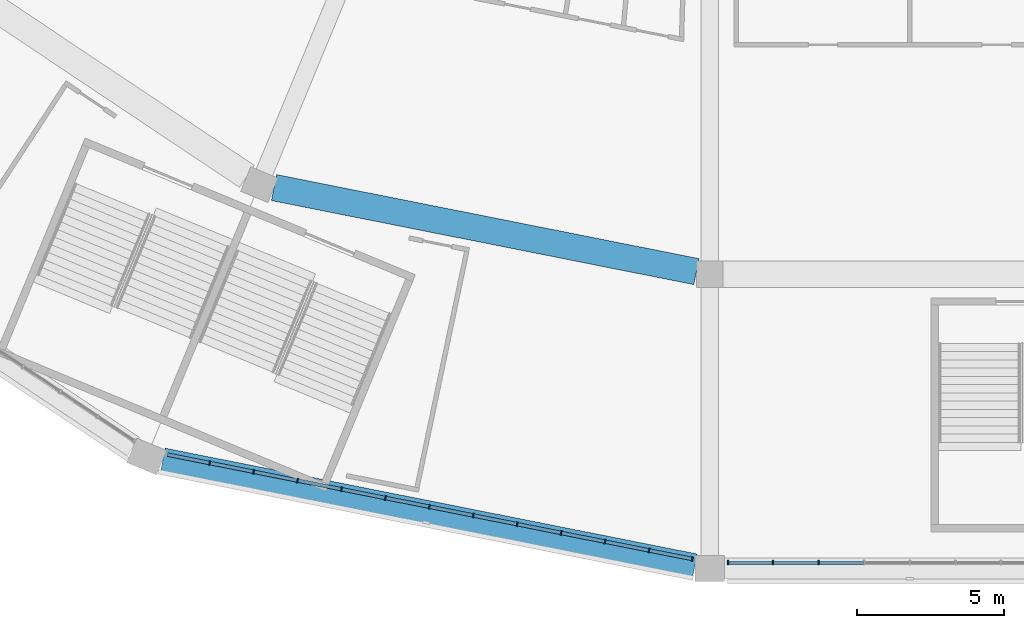
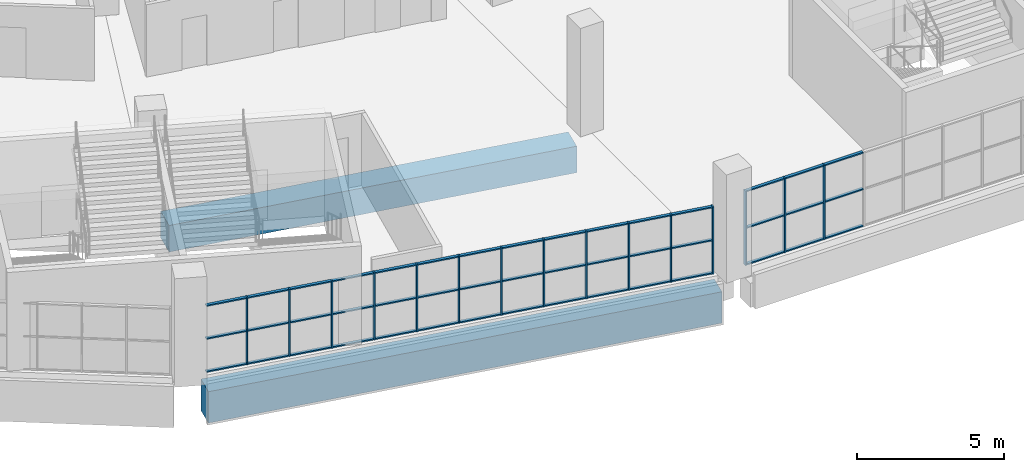
# One storey, part 5 of 199: 60 members, 2 beams, 2 elements without a shape of their own.
"""IFC4 building model written with IfcOpenShell, lengths in metres."""

from ifc_helpers import new_model, si_unit, direction, frame, origin, origin_2d, place, context, subcontext, project, spatial, rectangle, extrude, material, material_profile, profile_set, type_object, element, aggregate, save


model = new_model("IFC4")

# Units and contexts
model_context = context("Model", 3, precision=1e-05, world=origin(), true_north=direction((0.0, 1.0)))
body_context = subcontext(model_context, "Body", "Model", "MODEL_VIEW")
ifc_project = project(units=[si_unit("LENGTHUNIT", "METRE"), si_unit("AREAUNIT", "SQUARE_METRE"), si_unit("VOLUMEUNIT", "CUBIC_METRE"), si_unit("PLANEANGLEUNIT", "RADIAN"), si_unit("MASSUNIT", "GRAM", prefix="KILO")], contexts=[model_context])

# Site, building, storey
site_placement = place(None, origin())
site = spatial("IfcSite", under=ifc_project, at=site_placement, CompositionType="ELEMENT")
building_placement = place(site_placement, origin())
building = spatial("IfcBuilding", under=site, at=building_placement, Name="Ogive Plaza Stadium", CompositionType="ELEMENT")
storey_placement = place(building_placement, frame((0.0, 0.0, 4.5)))
storey = spatial("IfcBuildingStorey", under=building, at=storey_placement, Name="L01", CompositionType="ELEMENT", Elevation=4.5)

# Curtain wall, members
ifc_material_1 = material(Name="Bronze-anodised aluminium with laminated glass", Category="aluminium")
curtain_wall_type = type_object("IfcCurtainWallType", Name="Lancet curtain wall", PredefinedType="NOTDEFINED", material=ifc_material_1)
curtain_wall_1_placement = place(storey_placement, origin())
curtain_wall_1 = element("IfcCurtainWall", 1, at=curtain_wall_1_placement, inside=storey, type_object=curtain_wall_type, Name="CURTAIN WALL B16 L01", PredefinedType="NOTDEFINED")
ifc_material_2 = material(Name="Bronze-anodised aluminium", Category="aluminium")
ifc_material_profile_1 = material_profile(ifc_material_2, rectangle(XDim=0.14990234375, YDim=0.050048828125, at=origin_2d()), Name="AL 150x50")
ifc_profile_set_1 = profile_set([ifc_material_profile_1], Name="Bronze-anodised aluminium")
member_type_1 = type_object("IfcMemberType", Name="Curtain wall mullion 50x150", PredefinedType="MULLION", material=ifc_profile_set_1)
member_1_placement = place(storey_placement, frame((-30.300048828125, -102.300048828125, 0.0), z_axis=(0.0, 0.0, 1.0), x_axis=(0.0, -1.0, 0.0)))
member_1 = element("IfcMember", 2, at=member_1_placement, type_object=member_type_1, Name="CW-B16-L01 mullion 7", PredefinedType="MULLION", context=body_context, shape_type="SweptSolid", body=[
    extrude(rectangle(XDim=0.14990234375, YDim=0.050048828125, at=origin_2d()), origin(), (0.0, 0.0, 1.0), 3.090087890625),
])
member_2_placement = place(storey_placement, frame((-31.85009765625, -102.300048828125, 0.0), z_axis=(0.0, 0.0, 1.0), x_axis=(0.0, -1.0, 0.0)))
member_2 = element("IfcMember", 3, at=member_2_placement, type_object=member_type_1, Name="CW-B16-L01 mullion 8", PredefinedType="MULLION", context=body_context, shape_type="SweptSolid", body=[
    extrude(rectangle(XDim=0.14990234375, YDim=0.050048828125, at=origin_2d()), origin(), (0.0, 0.0, 1.0), 3.090087890625),
])
member_3_placement = place(storey_placement, frame((-33.375, -102.300048828125, 0.0), z_axis=(0.0, 0.0, 1.0), x_axis=(0.0, -1.0, 0.0)))
member_3 = element("IfcMember", 4, at=member_3_placement, type_object=member_type_1, Name="CW-B16-L01 mullion 9", PredefinedType="MULLION", context=body_context, shape_type="SweptSolid", body=[
    extrude(rectangle(XDim=0.14990234375, YDim=0.050048828125, at=origin_2d()), origin(), (0.0, 0.0, 1.0), 3.090087890625),
])

curtain_wall_2_placement = place(storey_placement, origin())
curtain_wall_2 = element("IfcCurtainWall", 5, at=curtain_wall_2_placement, inside=storey, type_object=curtain_wall_type, Name="CURTAIN WALL B17 L01", PredefinedType="NOTDEFINED")
member_4_placement = place(storey_placement, frame((-34.593994140625, -102.177978515625, 0.0), z_axis=(0.0, 0.0, 1.0), x_axis=(-0.195090322033, -0.9807852804, 0.0)))
member_4 = element("IfcMember", 6, at=member_4_placement, type_object=member_type_1, Name="CW-B17-L01 mullion 1", PredefinedType="MULLION", context=body_context, shape_type="SweptSolid", body=[
    extrude(rectangle(XDim=0.14990234375, YDim=0.050048828125, at=origin_2d()), origin(), (0.0, 0.0, 1.0), 2.7900390625),
])
member_5_placement = place(storey_placement, frame((-36.0625, -101.8857421875, 0.0), z_axis=(0.0, 0.0, 1.0), x_axis=(-0.195090322033, -0.9807852804, 0.0)))
member_5 = element("IfcMember", 7, at=member_5_placement, type_object=member_type_1, Name="CW-B17-L01 mullion 2", PredefinedType="MULLION", context=body_context, shape_type="SweptSolid", body=[
    extrude(rectangle(XDim=0.14990234375, YDim=0.050048828125, at=origin_2d()), origin(), (0.0, 0.0, 1.0), 2.7900390625),
])
member_6_placement = place(storey_placement, frame((-37.5556640625, -101.5888671875, 0.0), z_axis=(0.0, 0.0, 1.0), x_axis=(-0.195090322033, -0.9807852804, 0.0)))
member_6 = element("IfcMember", 8, at=member_6_placement, type_object=member_type_1, Name="CW-B17-L01 mullion 3", PredefinedType="MULLION", context=body_context, shape_type="SweptSolid", body=[
    extrude(rectangle(XDim=0.14990234375, YDim=0.050048828125, at=origin_2d()), origin(), (0.0, 0.0, 1.0), 2.7900390625),
])
member_7_placement = place(storey_placement, frame((-39.048828125, -101.291748046875, 0.0), z_axis=(0.0, 0.0, 1.0), x_axis=(-0.195090322033, -0.9807852804, 0.0)))
member_7 = element("IfcMember", 9, at=member_7_placement, type_object=member_type_1, Name="CW-B17-L01 mullion 4", PredefinedType="MULLION", context=body_context, shape_type="SweptSolid", body=[
    extrude(rectangle(XDim=0.14990234375, YDim=0.050048828125, at=origin_2d()), origin(), (0.0, 0.0, 1.0), 2.7900390625),
])
member_8_placement = place(storey_placement, frame((-40.5419921875, -100.994873046875, 0.0), z_axis=(0.0, 0.0, 1.0), x_axis=(-0.195090322033, -0.9807852804, 0.0)))
member_8 = element("IfcMember", 10, at=member_8_placement, type_object=member_type_1, Name="CW-B17-L01 mullion 5", PredefinedType="MULLION", context=body_context, shape_type="SweptSolid", body=[
    extrude(rectangle(XDim=0.14990234375, YDim=0.050048828125, at=origin_2d()), origin(), (0.0, 0.0, 1.0), 2.7900390625),
])
member_9_placement = place(storey_placement, frame((-42.034912109375, -100.69775390625, 0.0), z_axis=(0.0, 0.0, 1.0), x_axis=(-0.195090322033, -0.9807852804, 0.0)))
member_9 = element("IfcMember", 11, at=member_9_placement, type_object=member_type_1, Name="CW-B17-L01 mullion 6", PredefinedType="MULLION", context=body_context, shape_type="SweptSolid", body=[
    extrude(rectangle(XDim=0.14990234375, YDim=0.050048828125, at=origin_2d()), origin(), (0.0, 0.0, 1.0), 2.7900390625),
])
member_10_placement = place(storey_placement, frame((-43.528076171875, -100.40087890625, 0.0), z_axis=(0.0, 0.0, 1.0), x_axis=(-0.195090322033, -0.9807852804, 0.0)))
member_10 = element("IfcMember", 12, at=member_10_placement, type_object=member_type_1, Name="CW-B17-L01 mullion 7", PredefinedType="MULLION", context=body_context, shape_type="SweptSolid", body=[
    extrude(rectangle(XDim=0.14990234375, YDim=0.050048828125, at=origin_2d()), origin(), (0.0, 0.0, 1.0), 2.7900390625),
])
member_11_placement = place(storey_placement, frame((-45.021240234375, -100.103759765625, 0.0), z_axis=(0.0, 0.0, 1.0), x_axis=(-0.195090322033, -0.9807852804, 0.0)))
member_11 = element("IfcMember", 13, at=member_11_placement, type_object=member_type_1, Name="CW-B17-L01 mullion 8", PredefinedType="MULLION", context=body_context, shape_type="SweptSolid", body=[
    extrude(rectangle(XDim=0.14990234375, YDim=0.050048828125, at=origin_2d()), origin(), (0.0, 0.0, 1.0), 2.7900390625),
])
member_12_placement = place(storey_placement, frame((-46.51416015625, -99.806884765625, 0.0), z_axis=(0.0, 0.0, 1.0), x_axis=(-0.195090322033, -0.9807852804, 0.0)))
member_12 = element("IfcMember", 14, at=member_12_placement, type_object=member_type_1, Name="CW-B17-L01 mullion 9", PredefinedType="MULLION", context=body_context, shape_type="SweptSolid", body=[
    extrude(rectangle(XDim=0.14990234375, YDim=0.050048828125, at=origin_2d()), origin(), (0.0, 0.0, 1.0), 2.7900390625),
])
member_13_placement = place(storey_placement, frame((-48.00732421875, -99.509765625, 0.0), z_axis=(0.0, 0.0, 1.0), x_axis=(-0.195090322033, -0.9807852804, 0.0)))
member_13 = element("IfcMember", 15, at=member_13_placement, type_object=member_type_1, Name="CW-B17-L01 mullion 10", PredefinedType="MULLION", context=body_context, shape_type="SweptSolid", body=[
    extrude(rectangle(XDim=0.14990234375, YDim=0.050048828125, at=origin_2d()), origin(), (0.0, 0.0, 1.0), 2.7900390625),
])
member_14_placement = place(storey_placement, frame((-49.50048828125, -99.212890625, 0.0), z_axis=(0.0, 0.0, 1.0), x_axis=(-0.195090322033, -0.9807852804, 0.0)))
member_14 = element("IfcMember", 16, at=member_14_placement, type_object=member_type_1, Name="CW-B17-L01 mullion 11", PredefinedType="MULLION", context=body_context, shape_type="SweptSolid", body=[
    extrude(rectangle(XDim=0.14990234375, YDim=0.050048828125, at=origin_2d()), origin(), (0.0, 0.0, 1.0), 2.7900390625),
])
member_15_placement = place(storey_placement, frame((-50.99365234375, -98.915771484375, 0.0), z_axis=(0.0, 0.0, 1.0), x_axis=(-0.195090322033, -0.9807852804, 0.0)))
member_15 = element("IfcMember", 17, at=member_15_placement, type_object=member_type_1, Name="CW-B17-L01 mullion 12", PredefinedType="MULLION", context=body_context, shape_type="SweptSolid", body=[
    extrude(rectangle(XDim=0.14990234375, YDim=0.050048828125, at=origin_2d()), origin(), (0.0, 0.0, 1.0), 2.7900390625),
])

# Member
ifc_material_3 = material(Name="Bronze-anodised aluminium", Category="aluminium")
ifc_material_profile_2 = material_profile(ifc_material_3, rectangle(XDim=0.1201171875, YDim=0.050048828125, at=origin_2d()), Name="AL 120x50")
ifc_profile_set_2 = profile_set([ifc_material_profile_2], Name="Bronze-anodised aluminium")
member_type_2 = type_object("IfcMemberType", Name="Curtain wall transom 50x120", PredefinedType="USERDEFINED", material=ifc_profile_set_2)
member_16_placement = place(storey_placement, frame((-28.77490234375, -102.300048828125, 0.02490234375), z_axis=(-1.0, 0.0, 0.0), x_axis=(0.0, -1.0, 0.0)))
member_16 = element("IfcMember", 18, at=member_16_placement, type_object=member_type_2, Name="CW-B16-L01 transom 6.1", ObjectType="TRANSOM", PredefinedType="USERDEFINED", context=body_context, shape_type="SweptSolid", body=[
    extrude(rectangle(XDim=0.1201171875, YDim=0.050048828125, at=origin_2d()), origin(), (0.0, 0.0, 1.0), 1.5),
])

member_17_placement = place(storey_placement, frame((-28.77490234375, -102.300048828125, 1.544921875), z_axis=(-1.0, 0.0, 0.0), x_axis=(0.0, -1.0, 0.0)))
member_17 = element("IfcMember", 19, at=member_17_placement, type_object=member_type_2, Name="CW-B16-L01 transom 6.2", ObjectType="TRANSOM", PredefinedType="USERDEFINED", context=body_context, shape_type="SweptSolid", body=[
    extrude(rectangle(XDim=0.1201171875, YDim=0.050048828125, at=origin_2d()), origin(), (0.0, 0.0, 1.0), 1.5),
])

member_18_placement = place(storey_placement, frame((-28.77490234375, -102.300048828125, 3.06494140625), z_axis=(-1.0, 0.0, 0.0), x_axis=(0.0, -1.0, 0.0)))
member_18 = element("IfcMember", 20, at=member_18_placement, type_object=member_type_2, Name="CW-B16-L01 transom 6.3", ObjectType="TRANSOM", PredefinedType="USERDEFINED", context=body_context, shape_type="SweptSolid", body=[
    extrude(rectangle(XDim=0.1201171875, YDim=0.050048828125, at=origin_2d()), origin(), (0.0, 0.0, 1.0), 1.5),
])

member_19_placement = place(storey_placement, frame((-30.324951171875, -102.300048828125, 0.02490234375), z_axis=(-1.0, 0.0, 0.0), x_axis=(0.0, -1.0, 0.0)))
member_19 = element("IfcMember", 21, at=member_19_placement, type_object=member_type_2, Name="CW-B16-L01 transom 7.1", ObjectType="TRANSOM", PredefinedType="USERDEFINED", context=body_context, shape_type="SweptSolid", body=[
    extrude(rectangle(XDim=0.1201171875, YDim=0.050048828125, at=origin_2d()), origin(), (0.0, 0.0, 1.0), 1.5),
])

member_20_placement = place(storey_placement, frame((-30.324951171875, -102.300048828125, 1.544921875), z_axis=(-1.0, 0.0, 0.0), x_axis=(0.0, -1.0, 0.0)))
member_20 = element("IfcMember", 22, at=member_20_placement, type_object=member_type_2, Name="CW-B16-L01 transom 7.2", ObjectType="TRANSOM", PredefinedType="USERDEFINED", context=body_context, shape_type="SweptSolid", body=[
    extrude(rectangle(XDim=0.1201171875, YDim=0.050048828125, at=origin_2d()), origin(), (0.0, 0.0, 1.0), 1.5),
])

member_21_placement = place(storey_placement, frame((-30.324951171875, -102.300048828125, 3.06494140625), z_axis=(-1.0, 0.0, 0.0), x_axis=(0.0, -1.0, 0.0)))
member_21 = element("IfcMember", 23, at=member_21_placement, type_object=member_type_2, Name="CW-B16-L01 transom 7.3", ObjectType="TRANSOM", PredefinedType="USERDEFINED", context=body_context, shape_type="SweptSolid", body=[
    extrude(rectangle(XDim=0.1201171875, YDim=0.050048828125, at=origin_2d()), origin(), (0.0, 0.0, 1.0), 1.5),
])

member_22_placement = place(storey_placement, frame((-31.875, -102.300048828125, 0.02490234375), z_axis=(-1.0, 0.0, 0.0), x_axis=(0.0, -1.0, 0.0)))
member_22 = element("IfcMember", 24, at=member_22_placement, type_object=member_type_2, Name="CW-B16-L01 transom 8.1", ObjectType="TRANSOM", PredefinedType="USERDEFINED", context=body_context, shape_type="SweptSolid", body=[
    extrude(rectangle(XDim=0.1201171875, YDim=0.050048828125, at=origin_2d()), origin(), (0.0, 0.0, 1.0), 1.47509765625),
])

member_23_placement = place(storey_placement, frame((-31.875, -102.300048828125, 1.544921875), z_axis=(-1.0, 0.0, 0.0), x_axis=(0.0, -1.0, 0.0)))
member_23 = element("IfcMember", 25, at=member_23_placement, type_object=member_type_2, Name="CW-B16-L01 transom 8.2", ObjectType="TRANSOM", PredefinedType="USERDEFINED", context=body_context, shape_type="SweptSolid", body=[
    extrude(rectangle(XDim=0.1201171875, YDim=0.050048828125, at=origin_2d()), origin(), (0.0, 0.0, 1.0), 1.47509765625),
])

member_24_placement = place(storey_placement, frame((-31.875, -102.300048828125, 3.06494140625), z_axis=(-1.0, 0.0, 0.0), x_axis=(0.0, -1.0, 0.0)))
member_24 = element("IfcMember", 26, at=member_24_placement, type_object=member_type_2, Name="CW-B16-L01 transom 8.3", ObjectType="TRANSOM", PredefinedType="USERDEFINED", context=body_context, shape_type="SweptSolid", body=[
    extrude(rectangle(XDim=0.1201171875, YDim=0.050048828125, at=origin_2d()), origin(), (0.0, 0.0, 1.0), 1.47509765625),
])

aggregate(curtain_wall_1, [member_1, member_2, member_3, member_16, member_17, member_18, member_19, member_20, member_21, member_22, member_23, member_24])

member_25_placement = place(storey_placement, frame((-34.61865234375, -102.173095703125, 0.02490234375), z_axis=(-0.980768379534, 0.195175269199, 0.0), x_axis=(-0.195175269199, -0.980768379534, 0.0)))
member_25 = element("IfcMember", 27, at=member_25_placement, type_object=member_type_2, Name="CW-B17-L01 transom 1.1", ObjectType="TRANSOM", PredefinedType="USERDEFINED", context=body_context, shape_type="SweptSolid", body=[
    extrude(rectangle(XDim=0.1201171875, YDim=0.050048828125, at=origin_2d()), origin(), (0.0, 0.0, 1.0), 1.447265625),
])

member_26_placement = place(storey_placement, frame((-34.61865234375, -102.173095703125, 1.39501953125), z_axis=(-0.980768379534, 0.195175269199, 0.0), x_axis=(-0.195175269199, -0.980768379534, 0.0)))
member_26 = element("IfcMember", 28, at=member_26_placement, type_object=member_type_2, Name="CW-B17-L01 transom 1.2", ObjectType="TRANSOM", PredefinedType="USERDEFINED", context=body_context, shape_type="SweptSolid", body=[
    extrude(rectangle(XDim=0.1201171875, YDim=0.050048828125, at=origin_2d()), origin(), (0.0, 0.0, 1.0), 1.447265625),
])

member_27_placement = place(storey_placement, frame((-34.61865234375, -102.173095703125, 2.764892578125), z_axis=(-0.980768379534, 0.195175269199, 0.0), x_axis=(-0.195175269199, -0.980768379534, 0.0)))
member_27 = element("IfcMember", 29, at=member_27_placement, type_object=member_type_2, Name="CW-B17-L01 transom 1.3", ObjectType="TRANSOM", PredefinedType="USERDEFINED", context=body_context, shape_type="SweptSolid", body=[
    extrude(rectangle(XDim=0.1201171875, YDim=0.050048828125, at=origin_2d()), origin(), (0.0, 0.0, 1.0), 1.447265625),
])

member_28_placement = place(storey_placement, frame((-36.087158203125, -101.880859375, 0.02490234375), z_axis=(-0.980803254763, 0.194999937042, 0.0), x_axis=(-0.194999937042, -0.980803254763, 0.0)))
member_28 = element("IfcMember", 30, at=member_28_placement, type_object=member_type_2, Name="CW-B17-L01 transom 2.1", ObjectType="TRANSOM", PredefinedType="USERDEFINED", context=body_context, shape_type="SweptSolid", body=[
    extrude(rectangle(XDim=0.1201171875, YDim=0.050048828125, at=origin_2d()), origin(), (0.0, 0.0, 1.0), 1.472412109375),
])

member_29_placement = place(storey_placement, frame((-36.087158203125, -101.880859375, 1.39501953125), z_axis=(-0.980803254763, 0.194999937042, 0.0), x_axis=(-0.194999937042, -0.980803254763, 0.0)))
member_29 = element("IfcMember", 31, at=member_29_placement, type_object=member_type_2, Name="CW-B17-L01 transom 2.2", ObjectType="TRANSOM", PredefinedType="USERDEFINED", context=body_context, shape_type="SweptSolid", body=[
    extrude(rectangle(XDim=0.1201171875, YDim=0.050048828125, at=origin_2d()), origin(), (0.0, 0.0, 1.0), 1.472412109375),
])

member_30_placement = place(storey_placement, frame((-36.087158203125, -101.880859375, 2.764892578125), z_axis=(-0.980803254763, 0.194999937042, 0.0), x_axis=(-0.194999937042, -0.980803254763, 0.0)))
member_30 = element("IfcMember", 32, at=member_30_placement, type_object=member_type_2, Name="CW-B17-L01 transom 2.3", ObjectType="TRANSOM", PredefinedType="USERDEFINED", context=body_context, shape_type="SweptSolid", body=[
    extrude(rectangle(XDim=0.1201171875, YDim=0.050048828125, at=origin_2d()), origin(), (0.0, 0.0, 1.0), 1.472412109375),
])

member_31_placement = place(storey_placement, frame((-37.580322265625, -101.583984375, 0.02490234375), z_axis=(-0.980765212551, 0.195191182816, 0.0), x_axis=(-0.195191182816, -0.980765212551, 0.0)))
member_31 = element("IfcMember", 33, at=member_31_placement, type_object=member_type_2, Name="CW-B17-L01 transom 3.1", ObjectType="TRANSOM", PredefinedType="USERDEFINED", context=body_context, shape_type="SweptSolid", body=[
    extrude(rectangle(XDim=0.1201171875, YDim=0.050048828125, at=origin_2d()), origin(), (0.0, 0.0, 1.0), 1.47216796875),
])

member_32_placement = place(storey_placement, frame((-37.580322265625, -101.583984375, 1.39501953125), z_axis=(-0.980765212551, 0.195191182816, 0.0), x_axis=(-0.195191182816, -0.980765212551, 0.0)))
member_32 = element("IfcMember", 34, at=member_32_placement, type_object=member_type_2, Name="CW-B17-L01 transom 3.2", ObjectType="TRANSOM", PredefinedType="USERDEFINED", context=body_context, shape_type="SweptSolid", body=[
    extrude(rectangle(XDim=0.1201171875, YDim=0.050048828125, at=origin_2d()), origin(), (0.0, 0.0, 1.0), 1.47216796875),
])

member_33_placement = place(storey_placement, frame((-37.580322265625, -101.583984375, 2.764892578125), z_axis=(-0.980765212551, 0.195191182816, 0.0), x_axis=(-0.195191182816, -0.980765212551, 0.0)))
member_33 = element("IfcMember", 35, at=member_33_placement, type_object=member_type_2, Name="CW-B17-L01 transom 3.3", ObjectType="TRANSOM", PredefinedType="USERDEFINED", context=body_context, shape_type="SweptSolid", body=[
    extrude(rectangle(XDim=0.1201171875, YDim=0.050048828125, at=origin_2d()), origin(), (0.0, 0.0, 1.0), 1.47216796875),
])

member_34_placement = place(storey_placement, frame((-39.0732421875, -101.286865234375, 0.02490234375), z_axis=(-0.980803254763, 0.194999937042, 0.0), x_axis=(-0.194999937042, -0.980803254763, 0.0)))
member_34 = element("IfcMember", 36, at=member_34_placement, type_object=member_type_2, Name="CW-B17-L01 transom 4.1", ObjectType="TRANSOM", PredefinedType="USERDEFINED", context=body_context, shape_type="SweptSolid", body=[
    extrude(rectangle(XDim=0.1201171875, YDim=0.050048828125, at=origin_2d()), origin(), (0.0, 0.0, 1.0), 1.472412109375),
])

member_35_placement = place(storey_placement, frame((-39.0732421875, -101.286865234375, 1.39501953125), z_axis=(-0.980803254763, 0.194999937042, 0.0), x_axis=(-0.194999937042, -0.980803254763, 0.0)))
member_35 = element("IfcMember", 37, at=member_35_placement, type_object=member_type_2, Name="CW-B17-L01 transom 4.2", ObjectType="TRANSOM", PredefinedType="USERDEFINED", context=body_context, shape_type="SweptSolid", body=[
    extrude(rectangle(XDim=0.1201171875, YDim=0.050048828125, at=origin_2d()), origin(), (0.0, 0.0, 1.0), 1.472412109375),
])

member_36_placement = place(storey_placement, frame((-39.0732421875, -101.286865234375, 2.764892578125), z_axis=(-0.980803254763, 0.194999937042, 0.0), x_axis=(-0.194999937042, -0.980803254763, 0.0)))
member_36 = element("IfcMember", 38, at=member_36_placement, type_object=member_type_2, Name="CW-B17-L01 transom 4.3", ObjectType="TRANSOM", PredefinedType="USERDEFINED", context=body_context, shape_type="SweptSolid", body=[
    extrude(rectangle(XDim=0.1201171875, YDim=0.050048828125, at=origin_2d()), origin(), (0.0, 0.0, 1.0), 1.472412109375),
])

member_37_placement = place(storey_placement, frame((-40.56640625, -100.989990234375, 0.02490234375), z_axis=(-0.980771529367, 0.195159440417, 0.0), x_axis=(-0.195159440417, -0.980771529367, 0.0)))
member_37 = element("IfcMember", 39, at=member_37_placement, type_object=member_type_2, Name="CW-B17-L01 transom 5.1", ObjectType="TRANSOM", PredefinedType="USERDEFINED", context=body_context, shape_type="SweptSolid", body=[
    extrude(rectangle(XDim=0.1201171875, YDim=0.050048828125, at=origin_2d()), origin(), (0.0, 0.0, 1.0), 1.472412109375),
])

member_38_placement = place(storey_placement, frame((-40.56640625, -100.989990234375, 1.39501953125), z_axis=(-0.980771529367, 0.195159440417, 0.0), x_axis=(-0.195159440417, -0.980771529367, 0.0)))
member_38 = element("IfcMember", 40, at=member_38_placement, type_object=member_type_2, Name="CW-B17-L01 transom 5.2", ObjectType="TRANSOM", PredefinedType="USERDEFINED", context=body_context, shape_type="SweptSolid", body=[
    extrude(rectangle(XDim=0.1201171875, YDim=0.050048828125, at=origin_2d()), origin(), (0.0, 0.0, 1.0), 1.472412109375),
])

member_39_placement = place(storey_placement, frame((-40.56640625, -100.989990234375, 2.764892578125), z_axis=(-0.980771529367, 0.195159440417, 0.0), x_axis=(-0.195159440417, -0.980771529367, 0.0)))
member_39 = element("IfcMember", 41, at=member_39_placement, type_object=member_type_2, Name="CW-B17-L01 transom 5.3", ObjectType="TRANSOM", PredefinedType="USERDEFINED", context=body_context, shape_type="SweptSolid", body=[
    extrude(rectangle(XDim=0.1201171875, YDim=0.050048828125, at=origin_2d()), origin(), (0.0, 0.0, 1.0), 1.472412109375),
])

member_40_placement = place(storey_placement, frame((-42.0595703125, -100.69287109375, 0.02490234375), z_axis=(-0.980803254763, 0.194999937042, 0.0), x_axis=(-0.194999937042, -0.980803254763, 0.0)))
member_40 = element("IfcMember", 42, at=member_40_placement, type_object=member_type_2, Name="CW-B17-L01 transom 6.1", ObjectType="TRANSOM", PredefinedType="USERDEFINED", context=body_context, shape_type="SweptSolid", body=[
    extrude(rectangle(XDim=0.1201171875, YDim=0.050048828125, at=origin_2d()), origin(), (0.0, 0.0, 1.0), 1.472412109375),
])

member_41_placement = place(storey_placement, frame((-42.0595703125, -100.69287109375, 1.39501953125), z_axis=(-0.980803254763, 0.194999937042, 0.0), x_axis=(-0.194999937042, -0.980803254763, 0.0)))
member_41 = element("IfcMember", 43, at=member_41_placement, type_object=member_type_2, Name="CW-B17-L01 transom 6.2", ObjectType="TRANSOM", PredefinedType="USERDEFINED", context=body_context, shape_type="SweptSolid", body=[
    extrude(rectangle(XDim=0.1201171875, YDim=0.050048828125, at=origin_2d()), origin(), (0.0, 0.0, 1.0), 1.472412109375),
])

member_42_placement = place(storey_placement, frame((-42.0595703125, -100.69287109375, 2.764892578125), z_axis=(-0.980803254763, 0.194999937042, 0.0), x_axis=(-0.194999937042, -0.980803254763, 0.0)))
member_42 = element("IfcMember", 44, at=member_42_placement, type_object=member_type_2, Name="CW-B17-L01 transom 6.3", ObjectType="TRANSOM", PredefinedType="USERDEFINED", context=body_context, shape_type="SweptSolid", body=[
    extrude(rectangle(XDim=0.1201171875, YDim=0.050048828125, at=origin_2d()), origin(), (0.0, 0.0, 1.0), 1.472412109375),
])

member_43_placement = place(storey_placement, frame((-43.552490234375, -100.39599609375, 0.02490234375), z_axis=(-0.980771529367, 0.195159440417, 0.0), x_axis=(-0.195159440417, -0.980771529367, 0.0)))
member_43 = element("IfcMember", 45, at=member_43_placement, type_object=member_type_2, Name="CW-B17-L01 transom 7.1", ObjectType="TRANSOM", PredefinedType="USERDEFINED", context=body_context, shape_type="SweptSolid", body=[
    extrude(rectangle(XDim=0.1201171875, YDim=0.050048828125, at=origin_2d()), origin(), (0.0, 0.0, 1.0), 1.472412109375),
])

member_44_placement = place(storey_placement, frame((-43.552490234375, -100.39599609375, 1.39501953125), z_axis=(-0.980771529367, 0.195159440417, 0.0), x_axis=(-0.195159440417, -0.980771529367, 0.0)))
member_44 = element("IfcMember", 46, at=member_44_placement, type_object=member_type_2, Name="CW-B17-L01 transom 7.2", ObjectType="TRANSOM", PredefinedType="USERDEFINED", context=body_context, shape_type="SweptSolid", body=[
    extrude(rectangle(XDim=0.1201171875, YDim=0.050048828125, at=origin_2d()), origin(), (0.0, 0.0, 1.0), 1.472412109375),
])

member_45_placement = place(storey_placement, frame((-43.552490234375, -100.39599609375, 2.764892578125), z_axis=(-0.980771529367, 0.195159440417, 0.0), x_axis=(-0.195159440417, -0.980771529367, 0.0)))
member_45 = element("IfcMember", 47, at=member_45_placement, type_object=member_type_2, Name="CW-B17-L01 transom 7.3", ObjectType="TRANSOM", PredefinedType="USERDEFINED", context=body_context, shape_type="SweptSolid", body=[
    extrude(rectangle(XDim=0.1201171875, YDim=0.050048828125, at=origin_2d()), origin(), (0.0, 0.0, 1.0), 1.472412109375),
])

member_46_placement = place(storey_placement, frame((-45.045654296875, -100.098876953125, 0.02490234375), z_axis=(-0.980803254763, 0.194999937042, 0.0), x_axis=(-0.194999937042, -0.980803254763, 0.0)))
member_46 = element("IfcMember", 48, at=member_46_placement, type_object=member_type_2, Name="CW-B17-L01 transom 8.1", ObjectType="TRANSOM", PredefinedType="USERDEFINED", context=body_context, shape_type="SweptSolid", body=[
    extrude(rectangle(XDim=0.1201171875, YDim=0.050048828125, at=origin_2d()), origin(), (0.0, 0.0, 1.0), 1.472412109375),
])

member_47_placement = place(storey_placement, frame((-45.045654296875, -100.098876953125, 1.39501953125), z_axis=(-0.980803254763, 0.194999937042, 0.0), x_axis=(-0.194999937042, -0.980803254763, 0.0)))
member_47 = element("IfcMember", 49, at=member_47_placement, type_object=member_type_2, Name="CW-B17-L01 transom 8.2", ObjectType="TRANSOM", PredefinedType="USERDEFINED", context=body_context, shape_type="SweptSolid", body=[
    extrude(rectangle(XDim=0.1201171875, YDim=0.050048828125, at=origin_2d()), origin(), (0.0, 0.0, 1.0), 1.472412109375),
])

member_48_placement = place(storey_placement, frame((-45.045654296875, -100.098876953125, 2.764892578125), z_axis=(-0.980803254763, 0.194999937042, 0.0), x_axis=(-0.194999937042, -0.980803254763, 0.0)))
member_48 = element("IfcMember", 50, at=member_48_placement, type_object=member_type_2, Name="CW-B17-L01 transom 8.3", ObjectType="TRANSOM", PredefinedType="USERDEFINED", context=body_context, shape_type="SweptSolid", body=[
    extrude(rectangle(XDim=0.1201171875, YDim=0.050048828125, at=origin_2d()), origin(), (0.0, 0.0, 1.0), 1.472412109375),
])

member_49_placement = place(storey_placement, frame((-46.538818359375, -99.802001953125, 0.02490234375), z_axis=(-0.980771529367, 0.195159440417, 0.0), x_axis=(-0.195159440417, -0.980771529367, 0.0)))
member_49 = element("IfcMember", 51, at=member_49_placement, type_object=member_type_2, Name="CW-B17-L01 transom 9.1", ObjectType="TRANSOM", PredefinedType="USERDEFINED", context=body_context, shape_type="SweptSolid", body=[
    extrude(rectangle(XDim=0.1201171875, YDim=0.050048828125, at=origin_2d()), origin(), (0.0, 0.0, 1.0), 1.472412109375),
])

member_50_placement = place(storey_placement, frame((-46.538818359375, -99.802001953125, 1.39501953125), z_axis=(-0.980771529367, 0.195159440417, 0.0), x_axis=(-0.195159440417, -0.980771529367, 0.0)))
member_50 = element("IfcMember", 52, at=member_50_placement, type_object=member_type_2, Name="CW-B17-L01 transom 9.2", ObjectType="TRANSOM", PredefinedType="USERDEFINED", context=body_context, shape_type="SweptSolid", body=[
    extrude(rectangle(XDim=0.1201171875, YDim=0.050048828125, at=origin_2d()), origin(), (0.0, 0.0, 1.0), 1.472412109375),
])

member_51_placement = place(storey_placement, frame((-46.538818359375, -99.802001953125, 2.764892578125), z_axis=(-0.980771529367, 0.195159440417, 0.0), x_axis=(-0.195159440417, -0.980771529367, 0.0)))
member_51 = element("IfcMember", 53, at=member_51_placement, type_object=member_type_2, Name="CW-B17-L01 transom 9.3", ObjectType="TRANSOM", PredefinedType="USERDEFINED", context=body_context, shape_type="SweptSolid", body=[
    extrude(rectangle(XDim=0.1201171875, YDim=0.050048828125, at=origin_2d()), origin(), (0.0, 0.0, 1.0), 1.472412109375),
])

member_52_placement = place(storey_placement, frame((-48.031982421875, -99.5048828125, 0.02490234375), z_axis=(-0.980796948065, 0.19503165555, 0.0), x_axis=(-0.19503165555, -0.980796948065, 0.0)))
member_52 = element("IfcMember", 54, at=member_52_placement, type_object=member_type_2, Name="CW-B17-L01 transom 10.1", ObjectType="TRANSOM", PredefinedType="USERDEFINED", context=body_context, shape_type="SweptSolid", body=[
    extrude(rectangle(XDim=0.1201171875, YDim=0.050048828125, at=origin_2d()), origin(), (0.0, 0.0, 1.0), 1.47216796875),
])

member_53_placement = place(storey_placement, frame((-48.031982421875, -99.5048828125, 1.39501953125), z_axis=(-0.980796948065, 0.19503165555, 0.0), x_axis=(-0.19503165555, -0.980796948065, 0.0)))
member_53 = element("IfcMember", 55, at=member_53_placement, type_object=member_type_2, Name="CW-B17-L01 transom 10.2", ObjectType="TRANSOM", PredefinedType="USERDEFINED", context=body_context, shape_type="SweptSolid", body=[
    extrude(rectangle(XDim=0.1201171875, YDim=0.050048828125, at=origin_2d()), origin(), (0.0, 0.0, 1.0), 1.47216796875),
])

member_54_placement = place(storey_placement, frame((-48.031982421875, -99.5048828125, 2.764892578125), z_axis=(-0.980796948065, 0.19503165555, 0.0), x_axis=(-0.19503165555, -0.980796948065, 0.0)))
member_54 = element("IfcMember", 56, at=member_54_placement, type_object=member_type_2, Name="CW-B17-L01 transom 10.3", ObjectType="TRANSOM", PredefinedType="USERDEFINED", context=body_context, shape_type="SweptSolid", body=[
    extrude(rectangle(XDim=0.1201171875, YDim=0.050048828125, at=origin_2d()), origin(), (0.0, 0.0, 1.0), 1.47216796875),
])

member_55_placement = place(storey_placement, frame((-49.52490234375, -99.2080078125, 0.02490234375), z_axis=(-0.980771529367, 0.195159440417, 0.0), x_axis=(-0.195159440417, -0.980771529367, 0.0)))
member_55 = element("IfcMember", 57, at=member_55_placement, type_object=member_type_2, Name="CW-B17-L01 transom 11.1", ObjectType="TRANSOM", PredefinedType="USERDEFINED", context=body_context, shape_type="SweptSolid", body=[
    extrude(rectangle(XDim=0.1201171875, YDim=0.050048828125, at=origin_2d()), origin(), (0.0, 0.0, 1.0), 1.472412109375),
])

member_56_placement = place(storey_placement, frame((-49.52490234375, -99.2080078125, 1.39501953125), z_axis=(-0.980771529367, 0.195159440417, 0.0), x_axis=(-0.195159440417, -0.980771529367, 0.0)))
member_56 = element("IfcMember", 58, at=member_56_placement, type_object=member_type_2, Name="CW-B17-L01 transom 11.2", ObjectType="TRANSOM", PredefinedType="USERDEFINED", context=body_context, shape_type="SweptSolid", body=[
    extrude(rectangle(XDim=0.1201171875, YDim=0.050048828125, at=origin_2d()), origin(), (0.0, 0.0, 1.0), 1.472412109375),
])

member_57_placement = place(storey_placement, frame((-49.52490234375, -99.2080078125, 2.764892578125), z_axis=(-0.980771529367, 0.195159440417, 0.0), x_axis=(-0.195159440417, -0.980771529367, 0.0)))
member_57 = element("IfcMember", 59, at=member_57_placement, type_object=member_type_2, Name="CW-B17-L01 transom 11.3", ObjectType="TRANSOM", PredefinedType="USERDEFINED", context=body_context, shape_type="SweptSolid", body=[
    extrude(rectangle(XDim=0.1201171875, YDim=0.050048828125, at=origin_2d()), origin(), (0.0, 0.0, 1.0), 1.472412109375),
])

member_58_placement = place(storey_placement, frame((-51.01806640625, -98.910888671875, 0.02490234375), z_axis=(-0.98080065826, 0.195012996379, 0.0), x_axis=(-0.195012996379, -0.98080065826, 0.0)))
member_58 = element("IfcMember", 60, at=member_58_placement, type_object=member_type_2, Name="CW-B17-L01 transom 12.1", ObjectType="TRANSOM", PredefinedType="USERDEFINED", context=body_context, shape_type="SweptSolid", body=[
    extrude(rectangle(XDim=0.1201171875, YDim=0.050048828125, at=origin_2d()), origin(), (0.0, 0.0, 1.0), 1.447265625),
])

member_59_placement = place(storey_placement, frame((-51.01806640625, -98.910888671875, 1.39501953125), z_axis=(-0.98080065826, 0.195012996379, 0.0), x_axis=(-0.195012996379, -0.98080065826, 0.0)))
member_59 = element("IfcMember", 61, at=member_59_placement, type_object=member_type_2, Name="CW-B17-L01 transom 12.2", ObjectType="TRANSOM", PredefinedType="USERDEFINED", context=body_context, shape_type="SweptSolid", body=[
    extrude(rectangle(XDim=0.1201171875, YDim=0.050048828125, at=origin_2d()), origin(), (0.0, 0.0, 1.0), 1.447265625),
])

member_60_placement = place(storey_placement, frame((-51.01806640625, -98.910888671875, 2.764892578125), z_axis=(-0.98080065826, 0.195012996379, 0.0), x_axis=(-0.195012996379, -0.98080065826, 0.0)))
member_60 = element("IfcMember", 62, at=member_60_placement, type_object=member_type_2, Name="CW-B17-L01 transom 12.3", ObjectType="TRANSOM", PredefinedType="USERDEFINED", context=body_context, shape_type="SweptSolid", body=[
    extrude(rectangle(XDim=0.1201171875, YDim=0.050048828125, at=origin_2d()), origin(), (0.0, 0.0, 1.0), 1.447265625),
])

aggregate(curtain_wall_2, [member_4, member_5, member_6, member_7, member_8, member_9, member_10, member_11, member_12, member_13, member_14, member_15, member_25, member_26, member_27, member_28, member_29, member_30, member_31, member_32, member_33, member_34, member_35, member_36, member_37, member_38, member_39, member_40, member_41, member_42, member_43, member_44, member_45, member_46, member_47, member_48, member_49, member_50, member_51, member_52, member_53, member_54, member_55, member_56, member_57, member_58, member_59, member_60])

# Beams
ifc_material_4 = material(Name="Concrete C40/50", Category="concrete")
ifc_material_profile_3 = material_profile(ifc_material_4, rectangle(XDim=0.89990234375, YDim=1.10009765625, at=origin_2d()), Name="RC 900x1100")
ifc_profile_set_3 = profile_set([ifc_material_profile_3], Name="Concrete C40/50")
beam_type_1 = type_object("IfcBeamType", Name="RC ring beam 900x1100", PredefinedType="BEAM", material=ifc_profile_set_3)
beam_1_placement = place(storey_placement, frame((-34.449951171875, -92.410400390625, -0.9599609375), z_axis=(-0.980787317906, 0.195080078519, 0.0), x_axis=(-0.195080078519, -0.980787317906, 0.0)))
element("IfcBeam", 63, at=beam_1_placement, inside=storey, type_object=beam_type_1, Name="Ring beam F4 L01 B17", PredefinedType="BEAM", context=body_context, shape_type="SweptSolid", body=[
    extrude(rectangle(XDim=0.89990234375, YDim=1.10009765625, at=origin_2d()), origin(), (0.0, 0.0, 1.0), 14.638671875),
])
ifc_material_5 = material(Name="Concrete C40/50", Category="concrete")
ifc_material_profile_4 = material_profile(ifc_material_5, rectangle(XDim=0.800048828125, YDim=1.300048828125, at=origin_2d()), Name="RC 800x1300")
ifc_profile_set_4 = profile_set([ifc_material_profile_4], Name="Concrete C40/50")
beam_type_2 = type_object("IfcBeamType", Name="RC spandrel beam 800x1300", PredefinedType="SPANDREL", material=ifc_profile_set_4)
beam_2_placement = place(storey_placement, frame((-34.5, -102.400634765625, -1.06005859375), z_axis=(-0.980785371075, 0.195089866178, 0.0), x_axis=(-0.195089866178, -0.980785371075, 0.0)))
element("IfcBeam", 64, at=beam_2_placement, inside=storey, type_object=beam_type_2, Name="Ring beam F5 L01 B17", PredefinedType="SPANDREL", context=body_context, shape_type="SweptSolid", body=[
    extrude(rectangle(XDim=0.800048828125, YDim=1.300048828125, at=origin_2d()), origin(), (0.0, 0.0, 1.0), 18.4384765625),
])

save(model, "model.ifc")
